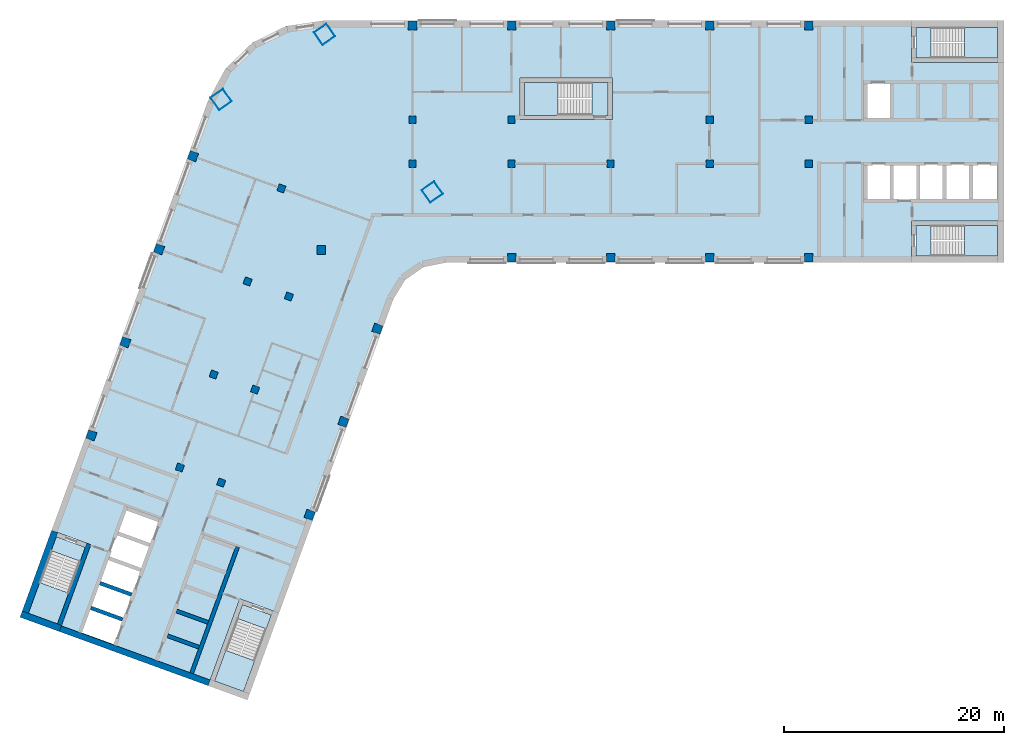
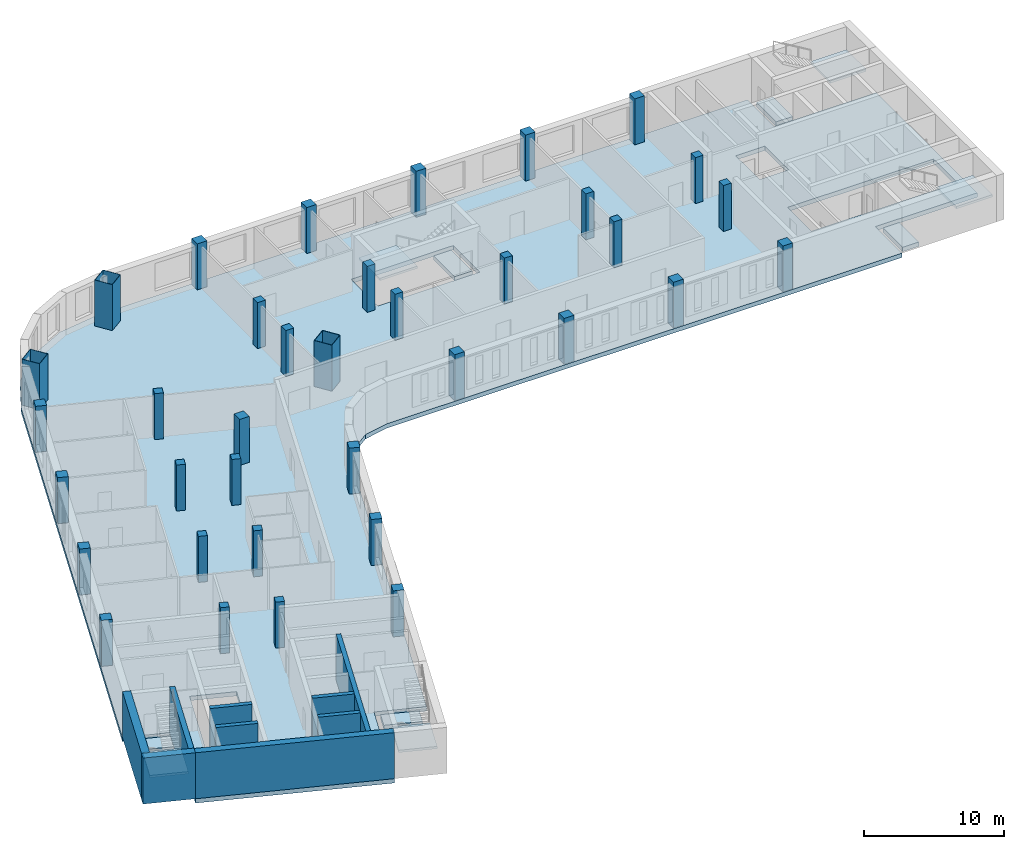
# One storey, part 1 of 8: 36 columns, 11 slabs, 9 walls, 5 elements without a shape of their own.
"""IFC4 building model written with IfcOpenShell, lengths in metres."""

from ifc_helpers import new_model, si_unit, direction, frame, frame_2d, origin, origin_2d, place, context, subcontext, project, spatial, polyline, rectangle, hollow_rectangle, outline, extrude, material, layer, layer_set, material_profile, profile_set, type_object, element, aggregate, save


model = new_model("IFC4")

# Units and contexts
model_context = context("Model", 3, precision=1e-05, world=origin(), true_north=direction((0.0, 1.0)))
body_context = subcontext(model_context, "Body", "Model", "MODEL_VIEW")
ifc_project = project(units=[si_unit("LENGTHUNIT", "METRE"), si_unit("AREAUNIT", "SQUARE_METRE"), si_unit("VOLUMEUNIT", "CUBIC_METRE"), si_unit("PLANEANGLEUNIT", "RADIAN"), si_unit("MASSUNIT", "GRAM", prefix="KILO")], contexts=[model_context])

# Site, building, storey
site_placement = place(None, origin())
site = spatial("IfcSite", under=ifc_project, at=site_placement, CompositionType="ELEMENT")
building_placement = place(site_placement, origin())
building = spatial("IfcBuilding", under=site, at=building_placement, Name="Skarvind Civic Tower", CompositionType="ELEMENT")
storey_placement = place(building_placement, frame((0.0, 0.0, 174.5)))
storey = spatial("IfcBuildingStorey", under=building, at=storey_placement, Name="L41", CompositionType="ELEMENT", Elevation=174.5)

# Columns
ifc_material_1 = material(Name="Concrete C60", Category="concrete")
ifc_material_profile_1 = material_profile(ifc_material_1, rectangle(XDim=0.64990234375, YDim=0.64990234375, at=origin_2d()), Name="RC-650x650")
ifc_profile_set_1 = profile_set([ifc_material_profile_1], Name="Concrete C60")
column_type_1 = type_object("IfcColumnType", Name="Column RC-650x650 C60", PredefinedType="COLUMN", material=ifc_profile_set_1)
for number, where, z_axis, x_axis, name in (
    (1, (54.25, 130.0, 0.0), (0.0, 0.0, 1.0), (1.0, 0.0, 0.0), "Column wing 1 north inner 02 L41"),
    (2, (63.25, 130.0, 0.0), (0.0, 0.0, 1.0), (1.0, 0.0, 0.0), "Column wing 1 north inner 03 L41"),
    (3, (81.25, 130.0, 0.0), (0.0, 0.0, 1.0), (1.0, 0.0, 0.0), "Column wing 1 north inner 05 L41"),
    (4, (90.25, 130.0, 0.0), (0.0, 0.0, 1.0), (1.0, 0.0, 0.0), "Column wing 1 north inner 06 L41"),
    (5, (54.25, 126.0, 0.0), (0.0, 0.0, 1.0), (1.0, 0.0, 0.0), "Column wing 1 south inner 02 L41"),
    (6, (63.25, 126.0, 0.0), (0.0, 0.0, 1.0), (1.0, 0.0, 0.0), "Column wing 1 south inner 03 L41"),
    (7, (72.25, 126.0, 0.0), (0.0, 0.0, 1.0), (1.0, 0.0, 0.0), "Column wing 1 south inner 04 L41"),
    (8, (81.25, 126.0, 0.0), (0.0, 0.0, 1.0), (1.0, 0.0, 0.0), "Column wing 1 south inner 05 L41"),
    (9, (90.25, 126.0, 0.0), (0.0, 0.0, 1.0), (1.0, 0.0, 0.0), "Column wing 1 south inner 06 L41"),
    (10, (43.005615234375, 113.92529296875, 0.0), (0.0, 0.0, 1.0), (-0.342020143326, -0.939692620786, 0.0), "Column wing 2 left inner 02 L41"),
    (11, (39.927490234375, 105.468017578125, 0.0), (0.0, 0.0, 1.0), (-0.342020143326, -0.939692620786, 0.0), "Column wing 2 left inner 03 L41"),
    (12, (36.84912109375, 97.010986328125, 0.0), (0.0, 0.0, 1.0), (-0.342020143326, -0.939692620786, 0.0), "Column wing 2 left inner 04 L41"),
    (13, (42.324951171875, 123.750732421875, 0.0), (0.0, 0.0, 1.0), (-0.342020143326, -0.939692620786, 0.0), "Column wing 2 right inner 01 L41"),
    (14, (39.246826171875, 115.29345703125, 0.0), (0.0, 0.0, 1.0), (-0.342020143326, -0.939692620786, 0.0), "Column wing 2 right inner 02 L41"),
    (15, (36.168701171875, 106.836181640625, 0.0), (0.0, 0.0, 1.0), (-0.342020143326, -0.939692620786, 0.0), "Column wing 2 right inner 03 L41"),
    (16, (33.090576171875, 98.37890625, 0.0), (0.0, 0.0, 1.0), (-0.342020143326, -0.939692620786, 0.0), "Column wing 2 right inner 04 L41"),
):
    element("IfcColumn", number, at=place(storey_placement, frame(where, z_axis=z_axis, x_axis=x_axis)), inside=storey, type_object=column_type_1, Name=name, PredefinedType="COLUMN", context=body_context, shape_type="SweptSolid", body=[
        extrude(rectangle(XDim=0.64990234375, YDim=0.64990234375, at=origin_2d()), origin(), (0.0, 0.0, 1.0), 4.0),
    ])
ifc_material_profile_2 = material_profile(ifc_material_1, rectangle(XDim=0.800048828125, YDim=0.800048828125, at=origin_2d()), Name="RC-800x800")
ifc_profile_set_2 = profile_set([ifc_material_profile_2], Name="Concrete C60")
column_type_2 = type_object("IfcColumnType", Name="Column RC-800x800 C60", PredefinedType="COLUMN", material=ifc_profile_set_2)
for number, where, z_axis, x_axis, name in (
    (17, (54.25, 138.550048828125, 0.0), (0.0, 0.0, 1.0), (1.0, 0.0, 0.0), "Column wing 1 north perimeter 02 L41"),
    (18, (63.25, 138.550048828125, 0.0), (0.0, 0.0, 1.0), (1.0, 0.0, 0.0), "Column wing 1 north perimeter 03 L41"),
    (19, (72.25, 138.550048828125, 0.0), (0.0, 0.0, 1.0), (1.0, 0.0, 0.0), "Column wing 1 north perimeter 04 L41"),
    (20, (81.25, 138.550048828125, 0.0), (0.0, 0.0, 1.0), (1.0, 0.0, 0.0), "Column wing 1 north perimeter 05 L41"),
    (21, (90.25, 138.550048828125, 0.0), (0.0, 0.0, 1.0), (1.0, 0.0, 0.0), "Column wing 1 north perimeter 06 L41"),
    (22, (45.95166015625, 118.151611328125, 0.0), (0.0, 0.0, 1.0), (1.0, 0.0, 0.0), "Column wing 1 south perimeter 01 L41"),
    (23, (63.25, 117.449951171875, 0.0), (0.0, 0.0, 1.0), (1.0, 0.0, 0.0), "Column wing 1 south perimeter 03 L41"),
    (24, (72.25, 117.449951171875, 0.0), (0.0, 0.0, 1.0), (1.0, 0.0, 0.0), "Column wing 1 south perimeter 04 L41"),
    (25, (81.25, 117.449951171875, 0.0), (0.0, 0.0, 1.0), (1.0, 0.0, 0.0), "Column wing 1 south perimeter 05 L41"),
    (26, (90.25, 117.449951171875, 0.0), (0.0, 0.0, 1.0), (1.0, 0.0, 0.0), "Column wing 1 south perimeter 06 L41"),
    (27, (51.0400390625, 111.0009765625, 0.0), (0.0, 0.0, 1.0), (-0.342020143326, -0.939692620786, 0.0), "Column wing 2 left perimeter 02 L41"),
    (28, (47.961669921875, 102.5439453125, 0.0), (0.0, 0.0, 1.0), (-0.342020143326, -0.939692620786, 0.0), "Column wing 2 left perimeter 03 L41"),
    (29, (44.883544921875, 94.086669921875, 0.0), (0.0, 0.0, 1.0), (-0.342020143326, -0.939692620786, 0.0), "Column wing 2 left perimeter 04 L41"),
    (30, (34.29052734375, 126.6748046875, 0.0), (0.0, 0.0, 1.0), (-0.342020143326, -0.939692620786, 0.0), "Column wing 2 right perimeter 01 L41"),
    (31, (31.21240234375, 118.2177734375, 0.0), (0.0, 0.0, 1.0), (-0.342020143326, -0.939692620786, 0.0), "Column wing 2 right perimeter 02 L41"),
    (32, (28.13427734375, 109.760498046875, 0.0), (0.0, 0.0, 1.0), (-0.342020143326, -0.939692620786, 0.0), "Column wing 2 right perimeter 03 L41"),
    (33, (25.05615234375, 101.30322265625, 0.0), (0.0, 0.0, 1.0), (-0.342020143326, -0.939692620786, 0.0), "Column wing 2 right perimeter 04 L41"),
):
    element("IfcColumn", number, at=place(storey_placement, frame(where, z_axis=z_axis, x_axis=x_axis)), inside=storey, type_object=column_type_2, Name=name, PredefinedType="COLUMN", context=body_context, shape_type="SweptSolid", body=[
        extrude(rectangle(XDim=0.800048828125, YDim=0.800048828125, at=origin_2d()), origin(), (0.0, 0.0, 1.0), 4.0),
    ])
ifc_material_2 = material(Name="Composite concrete-filled steel tube, Steel SM355 with Concrete C80", Category="concrete")
ifc_material_profile_3 = material_profile(ifc_material_2, hollow_rectangle(XDim=1.39990234375, YDim=1.39990234375, WallThickness=0.031982421875, at=origin_2d()), Name="BOX-1400x1400x32")
ifc_profile_set_3 = profile_set([ifc_material_profile_3], Name="Composite concrete-filled steel tube, Steel SM355 with Concrete C80")
column_type_3 = type_object("IfcColumnType", Name="Mega column BOX-1400x1400x32 filled C80", PredefinedType="COLUMN", material=ifc_profile_set_3)
for number, where, z_axis, x_axis, name in (
    (34, (36.845947265625, 131.837646484375, 0.0), (0.0, 0.0, 1.0), (0.573576436351, -0.819152044289, 0.0), "Mega column 1 L41"),
    (35, (46.2470703125, 137.762451171875, 0.0), (0.0, 0.0, 1.0), (0.573576436351, -0.819152044289, 0.0), "Mega column 2 L41"),
    (36, (56.0361328125, 123.43017578125, 0.0), (0.0, 0.0, 1.0), (0.573576436351, -0.819152044289, 0.0), "Mega column 4 L41"),
):
    element("IfcColumn", number, at=place(storey_placement, frame(where, z_axis=z_axis, x_axis=x_axis)), inside=storey, type_object=column_type_3, Name=name, PredefinedType="COLUMN", context=body_context, shape_type="SweptSolid", body=[
        extrude(hollow_rectangle(XDim=1.39990234375, YDim=1.39990234375, WallThickness=0.031982421875, at=origin_2d()), origin(), (0.0, 0.0, 1.0), 4.0),
    ])

# Slabs
ifc_material_3 = material(Name="Concrete C50", Category="concrete")
ifc_layer_1 = layer(ifc_material_3, 0.375)
ifc_layer_set_1 = layer_set([ifc_layer_1], Name="Floor slab 375 C50")
slab_type_1 = type_object("IfcSlabType", Name="Floor slab 375 C50", PredefinedType="FLOOR", material=ifc_layer_set_1)
slab_1_placement = place(storey_placement, frame((0.0, 0.0, -0.375)))
element("IfcSlab", 37, at=slab_1_placement, inside=storey, type_object=slab_type_1, Name="Floor slab L41 1", PredefinedType="FLOOR", context=body_context, shape_type="SweptSolid", body=[
    extrude(outline(polyline([(99.60009765625, 117.0), (99.60009765625, 120.800048828125), (108.0, 120.800048828125), (108.0, 135.199951171875), (99.60009765625, 135.199951171875), (99.60009765625, 139.0), (46.095458984375, 139.0), (42.739501953125, 138.5009765625), (39.6943359375, 137.005615234375), (37.24755859375, 134.6552734375), (35.630615234375, 131.672607421875), (19.41748046875, 87.126708984375), (21.435302734375, 92.6708984375), (25.006103515625, 91.371337890625), (22.13330078125, 83.477783203125), (36.886474609375, 78.108154296875), (35.664794921875, 78.552734375), (38.53759765625, 86.4462890625), (42.108642578125, 85.146484375), (40.0908203125, 79.602294921875), (40.0908203125, 79.602294921875), (52.493896484375, 113.68017578125), (53.560791015625, 115.421630859375), (55.23388671875, 116.593017578125), (57.235107421875, 117.0), (99.60009765625, 117.0)]), holes=[polyline([(25.671630859375, 87.9365234375), (26.492431640625, 90.19189453125), (27.313232421875, 92.447021484375), (28.134033203125, 94.702392578125), (31.3291015625, 93.53955078125), (30.50830078125, 91.2841796875), (29.6875, 89.029052734375), (28.866455078125, 86.773681640625), (28.866455078125, 86.773681640625), (28.045654296875, 84.5185546875), (27.224853515625, 82.26318359375), (24.02978515625, 83.426025390625), (24.8505859375, 85.681396484375), (25.671630859375, 87.9365234375), (25.671630859375, 87.9365234375)]), polyline([(64.0, 130.0), (64.0, 133.800048828125), (72.39990234375, 133.800048828125), (72.39990234375, 130.0), (64.0, 130.0)]), polyline([(97.800048828125, 126.0), (100.199951171875, 126.0), (102.60009765625, 126.0), (105.0, 126.0), (107.39990234375, 126.0), (107.39990234375, 122.60009765625), (105.0, 122.60009765625), (102.60009765625, 122.60009765625), (100.199951171875, 122.60009765625), (97.800048828125, 122.60009765625), (95.39990234375, 122.60009765625), (95.39990234375, 126.0), (97.800048828125, 126.0)]), polyline([(97.800048828125, 133.39990234375), (97.800048828125, 130.0), (95.39990234375, 130.0), (95.39990234375, 133.39990234375), (97.800048828125, 133.39990234375)])]), origin(), (0.0, 0.0, 1.0), 0.375),
])
ifc_material_4 = material(Name="Concrete C40/50", Category="concrete")
ifc_layer_2 = layer(ifc_material_4, 0.375)
ifc_layer_set_2 = layer_set([ifc_layer_2], Name="Stair floor landing slab 375")
slab_type_2 = type_object("IfcSlabType", Name="Stair floor landing slab 375", PredefinedType="LANDING", material=ifc_layer_set_2)
slab_2_placement = place(storey_placement, frame((0.0, 0.0, -0.375)))
element("IfcSlab", 38, at=slab_2_placement, inside=storey, type_object=slab_type_2, Name="Stair floor landing", PredefinedType="LANDING", context=body_context, shape_type="SweptSolid", body=[
    extrude(outline(polyline([(101.3505859375, 138.400634765625), (101.3505859375, 135.599365234375), (99.99951171875, 135.599365234375), (99.99951171875, 138.400634765625), (101.3505859375, 138.400634765625)])), origin(), (0.0, 0.0, 1.0), 0.375),
])
slab_3_placement = place(storey_placement, frame((0.0, 0.0, -0.375)))
element("IfcSlab", 39, at=slab_3_placement, inside=storey, type_object=slab_type_2, Name="Stair floor landing", PredefinedType="LANDING", context=body_context, shape_type="SweptSolid", body=[
    extrude(outline(polyline([(101.3505859375, 120.400634765625), (101.3505859375, 117.599365234375), (99.99951171875, 117.599365234375), (99.99951171875, 120.400634765625), (101.3505859375, 120.400634765625)])), origin(), (0.0, 0.0, 1.0), 0.375),
])
slab_4_placement = place(storey_placement, frame((0.0, 0.0, -0.375)))
element("IfcSlab", 40, at=slab_4_placement, inside=storey, type_object=slab_type_2, Name="Stair floor landing", PredefinedType="LANDING", context=body_context, shape_type="SweptSolid", body=[
    extrude(outline(polyline([(40.946533203125, 83.70654296875), (38.314208984375, 84.66455078125), (38.7763671875, 85.934326171875), (41.40869140625, 84.976318359375), (40.946533203125, 83.70654296875)])), origin(), (0.0, 0.0, 1.0), 0.375),
])
slab_5_placement = place(storey_placement, frame((0.0, 0.0, -0.375)))
element("IfcSlab", 41, at=slab_5_placement, inside=storey, type_object=slab_type_2, Name="Stair floor landing", PredefinedType="LANDING", context=body_context, shape_type="SweptSolid", body=[
    extrude(outline(polyline([(24.0322265625, 89.863037109375), (21.39990234375, 90.821044921875), (21.862060546875, 92.090576171875), (24.494384765625, 91.132568359375), (24.0322265625, 89.863037109375)])), origin(), (0.0, 0.0, 1.0), 0.375),
])
slab_6_placement = place(storey_placement, frame((0.0, 0.0, -0.375)))
element("IfcSlab", 42, at=slab_6_placement, inside=storey, type_object=slab_type_2, Name="Stair floor landing", PredefinedType="LANDING", context=body_context, shape_type="SweptSolid", body=[
    extrude(outline(polyline([(70.54931640625, 130.3994140625), (70.54931640625, 133.400634765625), (72.00048828125, 133.400634765625), (72.00048828125, 130.3994140625), (70.54931640625, 130.3994140625)])), origin(), (0.0, 0.0, 1.0), 0.375),
])

# Stair, slab
stair_type_1 = type_object("IfcStairType", Name="Exit stair, half-turn, concrete", PredefinedType="HALF_TURN_STAIR", material=ifc_material_4)
stair_1_placement = place(storey_placement, origin())
stair_1 = element("IfcStair", 43, at=stair_1_placement, inside=storey, type_object=stair_type_1, Name="Exit stair C1S", PredefinedType="HALF_TURN_STAIR")
ifc_layer_3 = layer(ifc_material_4, 0.199951171875)
ifc_layer_set_3 = layer_set([ifc_layer_3], Name="Stair half landing slab")
slab_type_3 = type_object("IfcSlabType", Name="Stair half landing slab", PredefinedType="LANDING", material=ifc_layer_set_3)
slab_7_placement = place(storey_placement, frame((0.0, 0.0, 1.800048828125)))
slab_7 = element("IfcSlab", 44, at=slab_7_placement, type_object=slab_type_3, Name="ST-C1S landing 1", PredefinedType="LANDING", context=body_context, shape_type="SweptSolid", body=[
    extrude(outline(polyline([(104.429443359375, 135.599365234375), (104.429443359375, 138.400634765625), (107.400634765625, 138.400634765625), (107.400634765625, 135.599365234375), (104.429443359375, 135.599365234375)])), origin(), (0.0, 0.0, 1.0), 0.199951171875),
])
aggregate(stair_1, [slab_7])

stair_2_placement = place(storey_placement, origin())
stair_2 = element("IfcStair", 45, at=stair_2_placement, inside=storey, type_object=stair_type_1, Name="Exit stair C1N", PredefinedType="HALF_TURN_STAIR")
slab_8_placement = place(storey_placement, frame((0.0, 0.0, 1.800048828125)))
slab_8 = element("IfcSlab", 46, at=slab_8_placement, type_object=slab_type_3, Name="ST-C1N landing 1", PredefinedType="LANDING", context=body_context, shape_type="SweptSolid", body=[
    extrude(outline(polyline([(104.429443359375, 117.599365234375), (104.429443359375, 120.400634765625), (107.400634765625, 120.400634765625), (107.400634765625, 117.599365234375), (104.429443359375, 117.599365234375)])), origin(), (0.0, 0.0, 1.0), 0.199951171875),
])
aggregate(stair_2, [slab_8])

stair_3_placement = place(storey_placement, origin())
stair_3 = element("IfcStair", 47, at=stair_3_placement, inside=storey, type_object=stair_type_1, Name="Exit stair C2S", PredefinedType="HALF_TURN_STAIR")
slab_9_placement = place(storey_placement, frame((0.0, 0.0, 1.800048828125)))
slab_9 = element("IfcSlab", 48, at=slab_9_placement, type_object=slab_type_3, Name="ST-C2S landing 1", PredefinedType="LANDING", context=body_context, shape_type="SweptSolid", body=[
    extrude(outline(polyline([(37.26123046875, 81.771484375), (39.8935546875, 80.8134765625), (38.87744140625, 78.021484375), (36.2451171875, 78.9794921875), (37.26123046875, 81.771484375)])), origin(), (0.0, 0.0, 1.0), 0.199951171875),
])
aggregate(stair_3, [slab_9])

stair_4_placement = place(storey_placement, origin())
stair_4 = element("IfcStair", 49, at=stair_4_placement, inside=storey, type_object=stair_type_1, Name="Exit stair C2N", PredefinedType="HALF_TURN_STAIR")
slab_10_placement = place(storey_placement, frame((0.0, 0.0, 1.800048828125)))
slab_10 = element("IfcSlab", 50, at=slab_10_placement, type_object=slab_type_3, Name="ST-C2N landing 1", PredefinedType="LANDING", context=body_context, shape_type="SweptSolid", body=[
    extrude(outline(polyline([(20.346923828125, 87.927734375), (22.97900390625, 86.9697265625), (21.962890625, 84.177734375), (19.33056640625, 85.1357421875), (20.346923828125, 87.927734375)])), origin(), (0.0, 0.0, 1.0), 0.199951171875),
])
aggregate(stair_4, [slab_10])

stair_type_2 = type_object("IfcStairType", Name="Exit stair 1450, half-turn, concrete", PredefinedType="HALF_TURN_STAIR", material=ifc_material_4)
stair_5_placement = place(storey_placement, origin())
stair_5 = element("IfcStair", 51, at=stair_5_placement, inside=storey, type_object=stair_type_2, Name="Exit stair CM", PredefinedType="HALF_TURN_STAIR")
slab_11_placement = place(storey_placement, frame((0.0, 0.0, 1.800048828125)))
slab_11 = element("IfcSlab", 52, at=slab_11_placement, type_object=slab_type_3, Name="ST-CM landing 1", PredefinedType="LANDING", context=body_context, shape_type="SweptSolid", body=[
    extrude(outline(polyline([(67.470703125, 133.400634765625), (67.470703125, 130.3994140625), (64.3994140625, 130.3994140625), (64.3994140625, 133.400634765625), (67.470703125, 133.400634765625)])), origin(), (0.0, 0.0, 1.0), 0.199951171875),
])
aggregate(stair_5, [slab_11])

# Walls
ifc_layer_4 = layer(ifc_material_1, 0.35009765625)
ifc_layer_set_4 = layer_set([ifc_layer_4], Name="Core wall 350 C60")
wall_type_1 = type_object("IfcWallType", Name="Core wall 350 C60", PredefinedType="SHEAR", material=ifc_layer_set_4)
wall_1_placement = place(storey_placement, frame((34.161376953125, 79.685302734375, 0.0), z_axis=(0.0, 0.0, 1.0), x_axis=(0.34201563943, 0.939694260058, 0.0)))
element("IfcWall", 53, at=wall_1_placement, inside=storey, type_object=wall_type_1, Name="Core wall C2 south lift row back L41", PredefinedType="SHEAR", context=body_context, shape_type="SweptSolid", body=[
    extrude(rectangle(XDim=12.22509765625, YDim=0.35009765625, at=frame_2d((6.112548828125, 0.0))), origin(), (0.0, 0.0, 1.0), 4.0),
])
wall_2_placement = place(storey_placement, frame((34.8349609375, 82.04736328125, 0.0), z_axis=(0.0, 0.0, 1.0), x_axis=(-0.939683528043, 0.3420451244, 0.0)))
element("IfcWall", 54, at=wall_2_placement, inside=storey, type_object=wall_type_1, Name="Core wall C2 south lift row division 1 L41", PredefinedType="SHEAR", context=body_context, shape_type="SweptSolid", body=[
    extrude(rectangle(XDim=3.050048828125, YDim=0.35009765625, at=frame_2d((1.52490234375, 0.0))), origin(), (0.0, 0.0, 1.0), 4.0),
])
wall_3_placement = place(storey_placement, frame((35.65576171875, 84.302734375, 0.0), z_axis=(0.0, 0.0, 1.0), x_axis=(-0.939709254651, 0.341974438698, 0.0)))
element("IfcWall", 55, at=wall_3_placement, inside=storey, type_object=wall_type_1, Name="Core wall C2 south lift row division 2 L41", PredefinedType="SHEAR", context=body_context, shape_type="SweptSolid", body=[
    extrude(rectangle(XDim=3.0498046875, YDim=0.35009765625, at=frame_2d((1.52490234375, 0.0))), origin(), (0.0, 0.0, 1.0), 4.0),
])
for number, where, z_axis, x_axis, name in (
    (56, (27.881103515625, 84.578369140625, 0.0), (0.0, 0.0, 1.0), (-0.939683528043, 0.3420451244, 0.0), "Core wall C2 north lift row division 1 L41"),
    (57, (28.7021484375, 86.83349609375, 0.0), (0.0, 0.0, 1.0), (-0.939692892192, 0.342019397644, 0.0), "Core wall C2 north lift row division 2 L41"),
):
    element("IfcWall", number, at=place(storey_placement, frame(where, z_axis=z_axis, x_axis=x_axis)), inside=storey, type_object=wall_type_1, Name=name, PredefinedType="SHEAR", context=body_context, shape_type="SweptSolid", body=[
        extrude(rectangle(XDim=3.050048828125, YDim=0.35009765625, at=frame_2d((1.52490234375, 0.0))), origin(), (0.0, 0.0, 1.0), 4.0),
    ])
ifc_layer_5 = layer(ifc_material_1, 0.39990234375)
ifc_layer_set_5 = layer_set([ifc_layer_5], Name="Core wall 400 C60")
wall_type_2 = type_object("IfcWallType", Name="Core wall 400 C60", PredefinedType="SHEAR", material=ifc_layer_set_5)
wall_4_placement = place(storey_placement, frame((22.150390625, 84.110107421875, 0.0), z_axis=(0.0, 0.0, 1.0), x_axis=(0.342016982193, 0.939693771338, 0.0)))
element("IfcWall", 58, at=wall_4_placement, inside=storey, type_object=wall_type_2, Name="Core wall C2 north stair inner L41", PredefinedType="SHEAR", context=body_context, shape_type="SweptSolid", body=[
    extrude(rectangle(XDim=7.800048828125, YDim=0.39990234375, at=frame_2d((3.89990234375, 0.0))), origin(), (0.0, 0.0, 1.0), 4.0),
])
ifc_layer_6 = layer(ifc_material_1, 0.550048828125)
ifc_layer_set_6 = layer_set([ifc_layer_6], Name="Core wall 550 C60")
wall_type_3 = type_object("IfcWallType", Name="Core wall 550 C60", PredefinedType="SHEAR", material=ifc_layer_set_6)
wall_5_placement = place(storey_placement, frame((35.7587890625, 78.811279296875, 0.0), z_axis=(0.0, 0.0, 1.0), x_axis=(-0.939692894512, 0.342019391267, 0.0)))
element("IfcWall", 59, at=wall_5_placement, inside=storey, type_object=wall_type_3, Name="Core wall C2 tip between the stairs L41", PredefinedType="SHEAR", context=body_context, shape_type="SweptSolid", body=[
    extrude(rectangle(XDim=14.39990234375, YDim=0.550048828125, at=frame_2d((7.199951171875, 0.0))), origin(), (0.0, 0.0, 1.0), 4.0),
])
ifc_layer_7 = layer(ifc_material_1, 0.60009765625)
ifc_layer_set_7 = layer_set([ifc_layer_7], Name="Core wall 600 C60")
wall_type_4 = type_object("IfcWallType", Name="Core wall 600 C60", PredefinedType="SHEAR", material=ifc_layer_set_7)
wall_6_placement = place(storey_placement, frame((22.23583984375, 83.759765625, 0.0), z_axis=(0.0, 0.0, 1.0), x_axis=(-0.939680822529, 0.342052557032, 0.0)))
element("IfcWall", 60, at=wall_6_placement, inside=storey, type_object=wall_type_4, Name="Core wall C2 tip at the north stair L41", PredefinedType="SHEAR", context=body_context, shape_type="SweptSolid", body=[
    extrude(rectangle(XDim=3.800048828125, YDim=0.60009765625, at=frame_2d((1.89990234375, 0.0))), origin(), (0.0, 0.0, 1.0), 4.0),
])
wall_7_placement = place(storey_placement, frame((19.049560546875, 85.23876953125, 0.0), z_axis=(0.0, 0.0, 1.0), x_axis=(0.342016982193, 0.939693771338, 0.0)))
element("IfcWall", 61, at=wall_7_placement, inside=storey, type_object=wall_type_4, Name="Core wall C2 north side at the stair L41", PredefinedType="SHEAR", context=body_context, shape_type="SweptSolid", body=[
    extrude(rectangle(XDim=7.800048828125, YDim=0.60009765625, at=frame_2d((3.89990234375, 0.0))), origin(), (0.0, 0.0, 1.0), 4.0),
])

save(model, "model.ifc")
